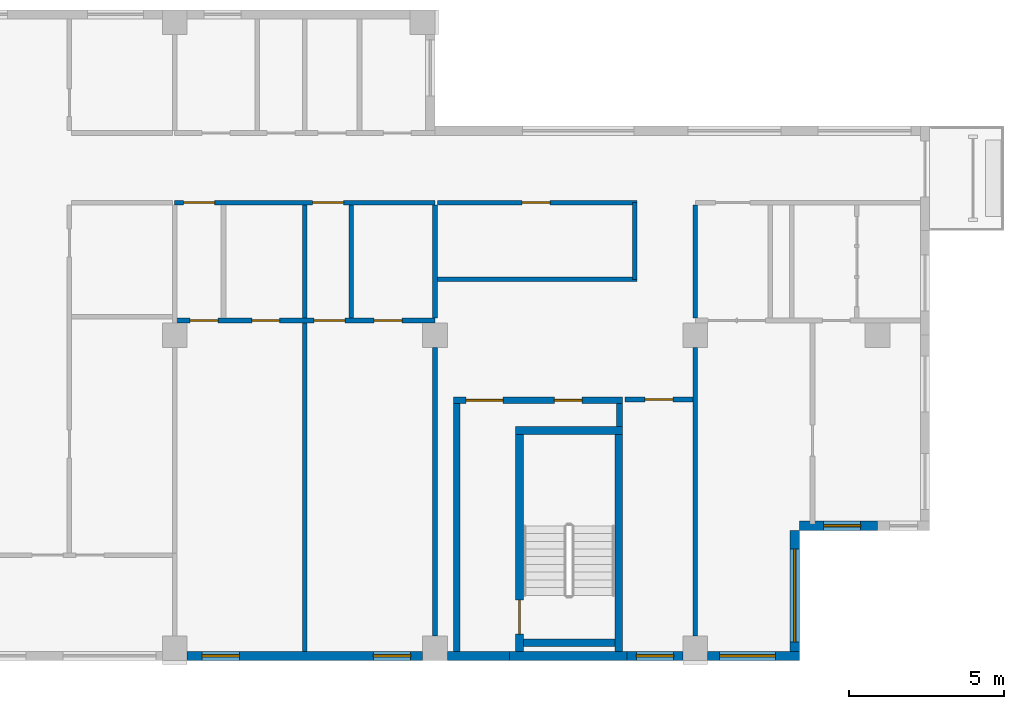
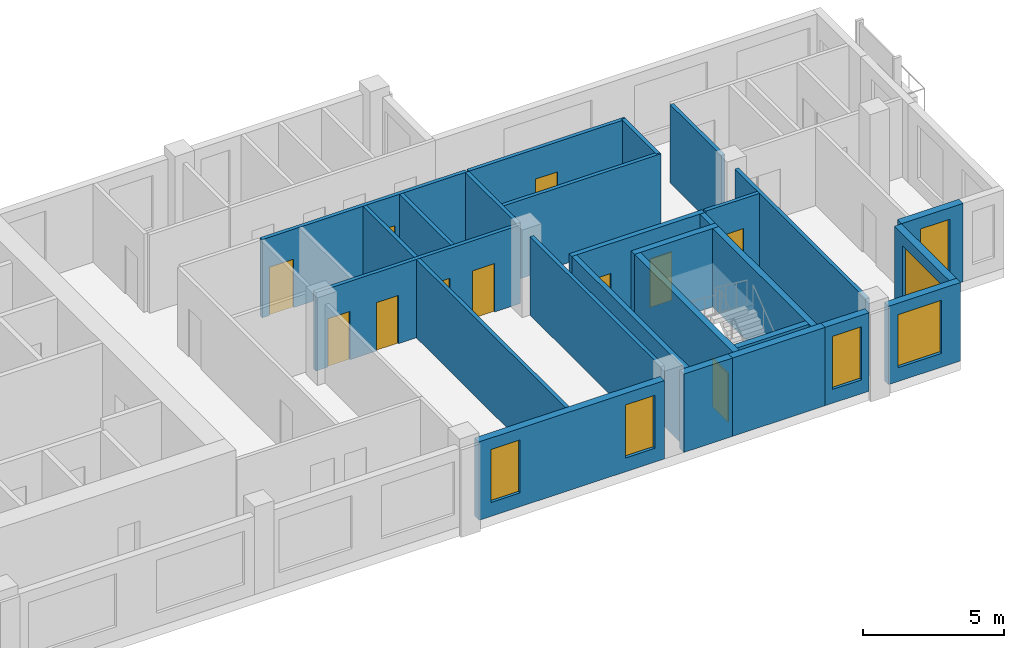
# One storey, part 4 of 11: 27 walls, 11 doors, 6 windows, 17 openings.
"""IFC4 building model written with IfcOpenShell, lengths in metres."""

from ifc_helpers import new_model, si_unit, direction, frame, frame_2d, origin, place, context, subcontext, project, spatial, rectangle, extrude, source, transform, mapped, material, layer, layer_set, type_object, element, fill, save


model = new_model("IFC4")

# Units and contexts
model_context = context("Model", 3, precision=1e-05, world=origin(), true_north=direction((0.0, 1.0)))
body_context = subcontext(model_context, "Body", "Model", "MODEL_VIEW")
ifc_project = project(units=[si_unit("LENGTHUNIT", "METRE"), si_unit("AREAUNIT", "SQUARE_METRE"), si_unit("VOLUMEUNIT", "CUBIC_METRE"), si_unit("PLANEANGLEUNIT", "RADIAN"), si_unit("MASSUNIT", "GRAM", prefix="KILO")], contexts=[model_context])

# Site, building, storey
site_placement = place(None, origin())
site = spatial("IfcSite", under=ifc_project, at=site_placement, CompositionType="ELEMENT")
building_placement = place(site_placement, origin())
building = spatial("IfcBuilding", under=site, at=building_placement, Name="Aurelian Terraces", CompositionType="ELEMENT")
storey_placement = place(building_placement, frame((0.0, 0.0, 265.2)))
storey = spatial("IfcBuildingStorey", under=building, at=storey_placement, Name="L61", CompositionType="ELEMENT", Elevation=265.2)

# Wall, opening, window
ifc_material_1 = material(Name="Terracotta rainscreen cladding", Category="masonry")
ifc_layer_1 = layer(ifc_material_1, 0.3)
ifc_layer_set_1 = layer_set([ifc_layer_1], Name="EW-300")
wall_type_1 = type_object("IfcWallType", Name="EW-300", PredefinedType="STANDARD", material=ifc_layer_set_1)
shared_shape_1 = source(origin(), body_context, "Body", "SweptSolid", [
    extrude(rectangle(XDim=4.2, YDim=0.3, at=frame_2d((2.1, 0.0))), origin(), (0.0, 0.0, 1.0), 3.4),
])
wall_1_placement = place(storey_placement, frame((49.41, 0.0, 0.0), z_axis=(0.0, 0.0, 1.0), x_axis=(0.0, 1.0, 0.0)))
wall_1 = element("IfcWall", 1, at=wall_1_placement, inside=storey, type_object=wall_type_1, Name="External wall L61 F02.7", PredefinedType="STANDARD", context=body_context, shape_type="MappedRepresentation", body=[
    mapped(shared_shape_1, transform((0.0, 0.0, 0.0), scale=1.0)),
])
shared_shape_2 = source(origin(), body_context, "Body", "SweptSolid", [
    extrude(rectangle(XDim=3.0, YDim=2.3, at=frame_2d((1.5, 1.15))), frame((0.0, 0.16, 0.0), z_axis=(0.0, -1.0, 0.0), x_axis=(1.0, 0.0, 0.0)), (0.0, 0.0, 1.0), 0.32),
])
opening_1_placement = place(wall_1_placement, frame((0.6, 0.0, 0.6)))
opening_1 = element("IfcOpeningElement", 2, at=opening_1_placement, cuts=wall_1, Name="Opening W3023", PredefinedType="OPENING", context=body_context, shape_type="MappedRepresentation", body=[
    mapped(shared_shape_2, transform((0.0, 0.0, 0.0), scale=1.0)),
])
ifc_material_2 = material(Name="Clear glazing", Category="glass")
window_type_1 = type_object("IfcWindowType", Name="W-3000x2300", PartitioningType="SINGLE_PANEL", PredefinedType="WINDOW", material=ifc_material_2)
shared_shape_3 = source(origin(), body_context, "Body", "SweptSolid", [
    extrude(rectangle(XDim=3.0, YDim=2.3, at=frame_2d((1.5, 1.15))), frame((0.0, 0.03, 0.0), z_axis=(0.0, -1.0, 0.0), x_axis=(1.0, 0.0, 0.0)), (0.0, 0.0, 1.0), 0.06),
])
window_1_placement = place(opening_1_placement, origin())
window_1 = element("IfcWindow", 3, at=window_1_placement, inside=storey, type_object=window_type_1, Name="Window L61 L61-F02-07-0", OverallHeight=2.3, OverallWidth=3.0, PartitioningType="SINGLE_PANEL", PredefinedType="WINDOW", context=body_context, shape_type="MappedRepresentation", body=[
    mapped(shared_shape_3, transform((0.0, 0.0, 0.0), scale=1.0)),
])
fill(opening_1, window_1)

shared_shape_4 = source(origin(), body_context, "Body", "SweptSolid", [
    extrude(rectangle(XDim=2.52, YDim=0.3, at=frame_2d((1.26, 0.0))), origin(), (0.0, 0.0, 1.0), 3.4),
])
wall_2_placement = place(storey_placement, frame((49.56, 4.35, 0.0), z_axis=(0.0, 0.0, 1.0), x_axis=(1.0, 0.0, 0.0)))
wall_2 = element("IfcWall", 4, at=wall_2_placement, inside=storey, type_object=wall_type_1, Name="External wall L61 F03.8", PredefinedType="STANDARD", context=body_context, shape_type="MappedRepresentation", body=[
    mapped(shared_shape_4, transform((0.0, 0.0, 0.0), scale=1.0)),
])
shared_shape_5 = source(origin(), body_context, "Body", "SweptSolid", [
    extrude(rectangle(XDim=1.2, YDim=2.3, at=frame_2d((0.6, 1.15))), frame((0.0, 0.16, 0.0), z_axis=(0.0, -1.0, 0.0), x_axis=(1.0, 0.0, 0.0)), (0.0, 0.0, 1.0), 0.32),
])
opening_2_placement = place(wall_2_placement, frame((0.7775, 0.0, 0.6)))
opening_2 = element("IfcOpeningElement", 5, at=opening_2_placement, cuts=wall_2, Name="Opening W1223", PredefinedType="OPENING", context=body_context, shape_type="MappedRepresentation", body=[
    mapped(shared_shape_5, transform((0.0, 0.0, 0.0), scale=1.0)),
])
window_type_2 = type_object("IfcWindowType", Name="W-1200x2300", PartitioningType="SINGLE_PANEL", PredefinedType="WINDOW", material=ifc_material_2)
shared_shape_6 = source(origin(), body_context, "Body", "SweptSolid", [
    extrude(rectangle(XDim=1.2, YDim=2.3, at=frame_2d((0.6, 1.15))), frame((0.0, 0.03, 0.0), z_axis=(0.0, -1.0, 0.0), x_axis=(1.0, 0.0, 0.0)), (0.0, 0.0, 1.0), 0.06),
])
window_2_placement = place(opening_2_placement, origin())
window_2 = element("IfcWindow", 6, at=window_2_placement, inside=storey, type_object=window_type_2, Name="Window L61 L61-F03-08-P0", OverallHeight=2.3, OverallWidth=1.2, PartitioningType="SINGLE_PANEL", PredefinedType="WINDOW", context=body_context, shape_type="MappedRepresentation", body=[
    mapped(shared_shape_6, transform((0.0, 0.0, 0.0), scale=1.0)),
])
fill(opening_2, window_2)

# Wall
ifc_material_3 = material(Name="Concrete fc' 40 MPa", Category="concrete")
ifc_layer_2 = layer(ifc_material_3, 0.3)
ifc_layer_set_2 = layer_set([ifc_layer_2], Name="STAIR BAY WALL 300")
wall_type_2 = type_object("IfcWallType", Name="STAIR BAY WALL 300", PredefinedType="SOLIDWALL", material=ifc_layer_set_2)
shared_shape_7 = source(origin(), body_context, "Body", "SweptSolid", [
    extrude(rectangle(XDim=3.8, YDim=0.3, at=frame_2d((1.9, 0.0))), origin(), (0.0, 0.0, 1.0), 3.4),
])
wall_3_placement = place(storey_placement, frame((40.2, 0.15, 0.0), z_axis=(0.0, 0.0, 1.0), x_axis=(1.0, 0.0, 0.0)))
element("IfcWall", 7, at=wall_3_placement, inside=storey, type_object=wall_type_2, Name="Stair bay wall L61 F01.5", PredefinedType="SOLIDWALL", context=body_context, shape_type="MappedRepresentation", body=[
    mapped(shared_shape_7, transform((0.0, 0.0, 0.0), scale=1.0)),
])

# Wall, openings, windows
shared_shape_8 = source(origin(), body_context, "Body", "SweptSolid", [
    extrude(rectangle(XDim=7.6, YDim=0.3, at=frame_2d((3.8, 0.0))), origin(), (0.0, 0.0, 1.0), 3.4),
])
wall_4_placement = place(storey_placement, frame((29.8, 0.15, 0.0), z_axis=(0.0, 0.0, 1.0), x_axis=(1.0, 0.0, 0.0)))
wall_4 = element("IfcWall", 8, at=wall_4_placement, inside=storey, type_object=wall_type_1, Name="External wall L61 F01.4", PredefinedType="STANDARD", context=body_context, shape_type="MappedRepresentation", body=[
    mapped(shared_shape_8, transform((0.0, 0.0, 0.0), scale=1.0)),
])
opening_3_placement = place(wall_4_placement, frame((0.4875, 0.0, 0.6)))
opening_3 = element("IfcOpeningElement", 9, at=opening_3_placement, cuts=wall_4, Name="Opening W1223", PredefinedType="OPENING", context=body_context, shape_type="MappedRepresentation", body=[
    mapped(shared_shape_5, transform((0.0, 0.0, 0.0), scale=1.0)),
])
opening_4_placement = place(wall_4_placement, frame((6.0125, 0.0, 0.6)))
opening_4 = element("IfcOpeningElement", 10, at=opening_4_placement, cuts=wall_4, Name="Opening W1223", PredefinedType="OPENING", context=body_context, shape_type="MappedRepresentation", body=[
    mapped(shared_shape_5, transform((0.0, 0.0, 0.0), scale=1.0)),
])
window_3_placement = place(opening_3_placement, origin())
window_3 = element("IfcWindow", 11, at=window_3_placement, inside=storey, type_object=window_type_2, Name="Window L61 L61-F01-04-0", OverallHeight=2.3, OverallWidth=1.2, PartitioningType="SINGLE_PANEL", PredefinedType="WINDOW", context=body_context, shape_type="MappedRepresentation", body=[
    mapped(shared_shape_6, transform((0.0, 0.0, 0.0), scale=1.0)),
])
fill(opening_3, window_3)
window_4_placement = place(opening_4_placement, origin())
window_4 = element("IfcWindow", 12, at=window_4_placement, inside=storey, type_object=window_type_2, Name="Window L61 L61-F01-04-1", OverallHeight=2.3, OverallWidth=1.2, PartitioningType="SINGLE_PANEL", PredefinedType="WINDOW", context=body_context, shape_type="MappedRepresentation", body=[
    mapped(shared_shape_6, transform((0.0, 0.0, 0.0), scale=1.0)),
])
fill(opening_4, window_4)

# Wall, opening, window
shared_shape_9 = source(origin(), body_context, "Body", "SweptSolid", [
    extrude(rectangle(XDim=2.96, YDim=0.3, at=frame_2d((1.48, 0.0))), origin(), (0.0, 0.0, 1.0), 3.4),
])
wall_5_placement = place(storey_placement, frame((46.6, 0.15, 0.0), z_axis=(0.0, 0.0, 1.0), x_axis=(1.0, 0.0, 0.0)))
wall_5 = element("IfcWall", 13, at=wall_5_placement, inside=storey, type_object=wall_type_1, Name="External wall L61 F01.6", PredefinedType="STANDARD", context=body_context, shape_type="MappedRepresentation", body=[
    mapped(shared_shape_9, transform((0.0, 0.0, 0.0), scale=1.0)),
])
shared_shape_10 = source(origin(), body_context, "Body", "SweptSolid", [
    extrude(rectangle(XDim=1.8, YDim=2.3, at=frame_2d((0.9, 1.15))), frame((0.0, 0.16, 0.0), z_axis=(0.0, -1.0, 0.0), x_axis=(1.0, 0.0, 0.0)), (0.0, 0.0, 1.0), 0.32),
])
opening_5_placement = place(wall_5_placement, frame((0.38, 0.0, 0.6)))
opening_5 = element("IfcOpeningElement", 14, at=opening_5_placement, cuts=wall_5, Name="Opening W1823", PredefinedType="OPENING", context=body_context, shape_type="MappedRepresentation", body=[
    mapped(shared_shape_10, transform((0.0, 0.0, 0.0), scale=1.0)),
])
window_type_3 = type_object("IfcWindowType", Name="W-1800x2300", PartitioningType="SINGLE_PANEL", PredefinedType="WINDOW", material=ifc_material_2)
shared_shape_11 = source(origin(), body_context, "Body", "SweptSolid", [
    extrude(rectangle(XDim=1.8, YDim=2.3, at=frame_2d((0.9, 1.15))), frame((0.0, 0.03, 0.0), z_axis=(0.0, -1.0, 0.0), x_axis=(1.0, 0.0, 0.0)), (0.0, 0.0, 1.0), 0.06),
])
window_5_placement = place(opening_5_placement, origin())
window_5 = element("IfcWindow", 15, at=window_5_placement, inside=storey, type_object=window_type_3, Name="Window L61 L61-F01-06-0", OverallHeight=2.3, OverallWidth=1.8, PartitioningType="SINGLE_PANEL", PredefinedType="WINDOW", context=body_context, shape_type="MappedRepresentation", body=[
    mapped(shared_shape_11, transform((0.0, 0.0, 0.0), scale=1.0)),
])
fill(opening_5, window_5)

# Wall
shared_shape_12 = source(origin(), body_context, "Body", "SweptSolid", [
    extrude(rectangle(XDim=2.0, YDim=0.3, at=frame_2d((1.0, 0.0))), origin(), (0.0, 0.0, 1.0), 3.4),
])
wall_6_placement = place(storey_placement, frame((38.2, 0.15, 0.0), z_axis=(0.0, 0.0, 1.0), x_axis=(1.0, 0.0, 0.0)))
element("IfcWall", 16, at=wall_6_placement, inside=storey, type_object=wall_type_1, Name="External wall L61 F01.5", PredefinedType="STANDARD", context=body_context, shape_type="MappedRepresentation", body=[
    mapped(shared_shape_12, transform((0.0, 0.0, 0.0), scale=1.0)),
])

# Wall, opening, window
shared_shape_13 = source(origin(), body_context, "Body", "SweptSolid", [
    extrude(rectangle(XDim=1.8, YDim=0.3, at=frame_2d((0.9, 0.0))), origin(), (0.0, 0.0, 1.0), 3.4),
])
wall_7_placement = place(storey_placement, frame((44.0, 0.15, 0.0), z_axis=(0.0, 0.0, 1.0), x_axis=(1.0, 0.0, 0.0)))
wall_7 = element("IfcWall", 17, at=wall_7_placement, inside=storey, type_object=wall_type_1, Name="External wall L61 F01.5", PredefinedType="STANDARD", context=body_context, shape_type="MappedRepresentation", body=[
    mapped(shared_shape_13, transform((0.0, 0.0, 0.0), scale=1.0)),
])
opening_6_placement = place(wall_7_placement, frame((0.3, 0.0, 0.6)))
opening_6 = element("IfcOpeningElement", 18, at=opening_6_placement, cuts=wall_7, Name="Opening W1223", PredefinedType="OPENING", context=body_context, shape_type="MappedRepresentation", body=[
    mapped(shared_shape_5, transform((0.0, 0.0, 0.0), scale=1.0)),
])
window_6_placement = place(opening_6_placement, origin())
window_6 = element("IfcWindow", 19, at=window_6_placement, inside=storey, type_object=window_type_2, Name="Window L61 L61-F01-05-P2", OverallHeight=2.3, OverallWidth=1.2, PartitioningType="SINGLE_PANEL", PredefinedType="WINDOW", context=body_context, shape_type="MappedRepresentation", body=[
    mapped(shared_shape_6, transform((0.0, 0.0, 0.0), scale=1.0)),
])
fill(opening_6, window_6)

# Wall, opening, door
ifc_layer_3 = layer(ifc_material_3, 0.25)
ifc_layer_set_3 = layer_set([ifc_layer_3], Name="Stair enclosure wall 250")
wall_type_3 = type_object("IfcWallType", Name="Stair enclosure wall 250", PredefinedType="SOLIDWALL", material=ifc_layer_set_3)
shared_shape_14 = source(origin(), body_context, "Body", "SweptSolid", [
    extrude(rectangle(XDim=7.0, YDim=0.25, at=frame_2d((3.5, 0.0))), origin(), (0.0, 0.0, 1.0), 3.4),
])
wall_8_placement = place(storey_placement, frame((40.525, 0.3, 0.0), z_axis=(0.0, 0.0, 1.0), x_axis=(0.0, 1.0, 0.0)))
wall_8 = element("IfcWall", 20, at=wall_8_placement, inside=storey, type_object=wall_type_3, Name="L61 core wall ST-S2-W", PredefinedType="SOLIDWALL", context=body_context, shape_type="MappedRepresentation", body=[
    mapped(shared_shape_14, transform((0.0, 0.0, 0.0), scale=1.0)),
])
shared_shape_15 = source(origin(), body_context, "Body", "SweptSolid", [
    extrude(rectangle(XDim=1.1, YDim=2.1, at=frame_2d((0.55, 1.05))), frame((0.0, 0.135, 0.0), z_axis=(0.0, -1.0, 0.0), x_axis=(1.0, 0.0, 0.0)), (0.0, 0.0, 1.0), 0.27),
])
opening_7_placement = place(wall_8_placement, frame((0.55, 0.0, 0.0)))
opening_7 = element("IfcOpeningElement", 21, at=opening_7_placement, cuts=wall_8, Name="Opening 66417", PredefinedType="OPENING", context=body_context, shape_type="MappedRepresentation", body=[
    mapped(shared_shape_15, transform((0.0, 0.0, 0.0), scale=1.0)),
])
ifc_material_4 = material(Name="Steel door leaf", Category="steel")
door_type_1 = type_object("IfcDoorType", Name="Core fire door 1100x2100 right", OperationType="SINGLE_SWING_RIGHT", PredefinedType="DOOR", material=ifc_material_4)
shared_shape_16 = source(origin(), body_context, "Body", "SweptSolid", [
    extrude(rectangle(XDim=1.1, YDim=2.1, at=frame_2d((0.55, 1.05))), frame((0.0, 0.025, 0.0), z_axis=(0.0, -1.0, 0.0), x_axis=(1.0, 0.0, 0.0)), (0.0, 0.0, 1.0), 0.05),
])
door_1_placement = place(opening_7_placement, origin())
door_1 = element("IfcDoor", 22, at=door_1_placement, inside=storey, type_object=door_type_1, Name="Stair door 66417", OperationType="SINGLE_SWING_RIGHT", OverallHeight=2.1, OverallWidth=1.1, PredefinedType="DOOR", context=body_context, shape_type="MappedRepresentation", body=[
    mapped(shared_shape_16, transform((0.0, 0.0, 0.0), scale=1.0)),
])
fill(opening_7, door_1)

# Walls
wall_9_placement = place(storey_placement, frame((43.725, 0.3, 0.0), z_axis=(0.0, 0.0, 1.0), x_axis=(0.0, 1.0, 0.0)))
element("IfcWall", 23, at=wall_9_placement, inside=storey, type_object=wall_type_3, Name="L61 core wall ST-S2-E", PredefinedType="SOLIDWALL", context=body_context, shape_type="MappedRepresentation", body=[
    mapped(shared_shape_14, transform((0.0, 0.0, 0.0), scale=1.0)),
])
shared_shape_17 = source(origin(), body_context, "Body", "SweptSolid", [
    extrude(rectangle(XDim=3.45, YDim=0.25, at=frame_2d((1.725, 0.0))), origin(), (0.0, 0.0, 1.0), 3.4),
])
wall_10_placement = place(storey_placement, frame((40.4, 7.425, 0.0), z_axis=(0.0, 0.0, 1.0), x_axis=(1.0, 0.0, 0.0)))
element("IfcWall", 24, at=wall_10_placement, inside=storey, type_object=wall_type_3, Name="L61 core wall ST-S2-N", PredefinedType="SOLIDWALL", context=body_context, shape_type="MappedRepresentation", body=[
    mapped(shared_shape_17, transform((0.0, 0.0, 0.0), scale=1.0)),
])
shared_shape_18 = source(origin(), body_context, "Body", "SweptSolid", [
    extrude(rectangle(XDim=2.95, YDim=0.25, at=frame_2d((1.475, 0.0))), origin(), (0.0, 0.0, 1.0), 3.4),
])
wall_11_placement = place(storey_placement, frame((40.65, 0.575, 0.0), z_axis=(0.0, 0.0, 1.0), x_axis=(1.0, 0.0, 0.0)))
element("IfcWall", 25, at=wall_11_placement, inside=storey, type_object=wall_type_3, Name="L61 core wall ST-S2-SS", PredefinedType="SOLIDWALL", context=body_context, shape_type="MappedRepresentation", body=[
    mapped(shared_shape_18, transform((0.0, 0.0, 0.0), scale=1.0)),
])

# Wall, openings, doors
ifc_material_5 = material(Name="Gypsum board on steel studs", Category="steel")
ifc_layer_4 = layer(ifc_material_5, 0.2)
ifc_layer_set_4 = layer_set([ifc_layer_4], Name="Core partition 200")
wall_type_4 = type_object("IfcWallType", Name="Core partition 200", PredefinedType="PARTITIONING", material=ifc_layer_set_4)
shared_shape_19 = source(origin(), body_context, "Body", "SweptSolid", [
    extrude(rectangle(XDim=5.45, YDim=0.2, at=frame_2d((2.725, 0.0))), origin(), (0.0, 0.0, 1.0), 3.4),
])
wall_12_placement = place(storey_placement, frame((38.4, 8.4, 0.0), z_axis=(0.0, 0.0, 1.0), x_axis=(1.0, 0.0, 0.0)))
wall_12 = element("IfcWall", 26, at=wall_12_placement, inside=storey, type_object=wall_type_4, Name="L61 core wall ST-S2-BN", PredefinedType="PARTITIONING", context=body_context, shape_type="MappedRepresentation", body=[
    mapped(shared_shape_19, transform((0.0, 0.0, 0.0), scale=1.0)),
])
shared_shape_20 = source(origin(), body_context, "Body", "SweptSolid", [
    extrude(rectangle(XDim=1.2, YDim=2.1, at=frame_2d((0.6, 1.05))), frame((0.0, 0.11, 0.0), z_axis=(0.0, -1.0, 0.0), x_axis=(1.0, 0.0, 0.0)), (0.0, 0.0, 1.0), 0.22),
])
opening_8_placement = place(wall_12_placement, frame((0.4, 0.0, 0.0)))
opening_8 = element("IfcOpeningElement", 27, at=opening_8_placement, cuts=wall_12, Name="Opening 66418", PredefinedType="OPENING", context=body_context, shape_type="MappedRepresentation", body=[
    mapped(shared_shape_20, transform((0.0, 0.0, 0.0), scale=1.0)),
])
shared_shape_21 = source(origin(), body_context, "Body", "SweptSolid", [
    extrude(rectangle(XDim=0.9, YDim=2.1, at=frame_2d((0.45, 1.05))), frame((0.0, 0.11, 0.0), z_axis=(0.0, -1.0, 0.0), x_axis=(1.0, 0.0, 0.0)), (0.0, 0.0, 1.0), 0.22),
])
opening_9_placement = place(wall_12_placement, frame((3.25, 0.0, 0.0)))
opening_9 = element("IfcOpeningElement", 28, at=opening_9_placement, cuts=wall_12, Name="Opening 66419", PredefinedType="OPENING", context=body_context, shape_type="MappedRepresentation", body=[
    mapped(shared_shape_21, transform((0.0, 0.0, 0.0), scale=1.0)),
])
door_type_2 = type_object("IfcDoorType", Name="Core riser door 900x2100 right", OperationType="SINGLE_SWING_RIGHT", PredefinedType="DOOR", material=ifc_material_4)
shared_shape_22 = source(origin(), body_context, "Body", "SweptSolid", [
    extrude(rectangle(XDim=0.9, YDim=2.1, at=frame_2d((0.45, 1.05))), frame((0.0, 0.025, 0.0), z_axis=(0.0, -1.0, 0.0), x_axis=(1.0, 0.0, 0.0)), (0.0, 0.0, 1.0), 0.05),
])
door_2_placement = place(opening_9_placement, origin())
door_2 = element("IfcDoor", 29, at=door_2_placement, inside=storey, type_object=door_type_2, Name="Riser door 66419", OperationType="SINGLE_SWING_RIGHT", OverallHeight=2.1, OverallWidth=0.9, PredefinedType="DOOR", context=body_context, shape_type="MappedRepresentation", body=[
    mapped(shared_shape_22, transform((0.0, 0.0, 0.0), scale=1.0)),
])
fill(opening_9, door_2)
door_type_3 = type_object("IfcDoorType", Name="Core fire door 1200x2100", OperationType="SINGLE_SWING_LEFT", PredefinedType="DOOR", material=ifc_material_4)
shared_shape_23 = source(origin(), body_context, "Body", "SweptSolid", [
    extrude(rectangle(XDim=1.2, YDim=2.1, at=frame_2d((0.6, 1.05))), frame((0.0, 0.025, 0.0), z_axis=(0.0, -1.0, 0.0), x_axis=(1.0, 0.0, 0.0)), (0.0, 0.0, 1.0), 0.05),
])
door_3_placement = place(opening_8_placement, origin())
door_3 = element("IfcDoor", 30, at=door_3_placement, inside=storey, type_object=door_type_3, Name="Vestibule door 66418", OperationType="SINGLE_SWING_LEFT", OverallHeight=2.1, OverallWidth=1.2, PredefinedType="DOOR", context=body_context, shape_type="MappedRepresentation", body=[
    mapped(shared_shape_23, transform((0.0, 0.0, 0.0), scale=1.0)),
])
fill(opening_8, door_3)

# Walls
shared_shape_24 = source(origin(), body_context, "Body", "SweptSolid", [
    extrude(rectangle(XDim=0.75, YDim=0.2, at=frame_2d((0.375, 0.0))), origin(), (0.0, 0.0, 1.0), 3.4),
])
wall_13_placement = place(storey_placement, frame((43.75, 7.55, 0.0), z_axis=(0.0, 0.0, 1.0), x_axis=(0.0, 1.0, 0.0)))
element("IfcWall", 31, at=wall_13_placement, inside=storey, type_object=wall_type_4, Name="L61 core wall ST-S2-RE", PredefinedType="PARTITIONING", context=body_context, shape_type="MappedRepresentation", body=[
    mapped(shared_shape_24, transform((0.0, 0.0, 0.0), scale=1.0)),
])
shared_shape_25 = source(origin(), body_context, "Body", "SweptSolid", [
    extrude(rectangle(XDim=8.0, YDim=0.2, at=frame_2d((4.0, 0.0))), origin(), (0.0, 0.0, 1.0), 3.4),
])
wall_14_placement = place(storey_placement, frame((38.5, 0.3, 0.0), z_axis=(0.0, 0.0, 1.0), x_axis=(0.0, 1.0, 0.0)))
element("IfcWall", 32, at=wall_14_placement, inside=storey, type_object=wall_type_4, Name="L61 core wall ST-S2-VW", PredefinedType="PARTITIONING", context=body_context, shape_type="MappedRepresentation", body=[
    mapped(shared_shape_25, transform((0.0, 0.0, 0.0), scale=1.0)),
])
ifc_layer_5 = layer(ifc_material_5, 0.15)
ifc_layer_set_5 = layer_set([ifc_layer_5], Name="Partition 150")
wall_type_5 = type_object("IfcWallType", Name="Partition 150", PredefinedType="PARTITIONING", material=ifc_layer_set_5)
shared_shape_26 = source(origin(), body_context, "Body", "SweptSolid", [
    extrude(rectangle(XDim=6.45, YDim=0.15, at=frame_2d((3.225, 0.0))), origin(), (0.0, 0.0, 1.0), 3.4),
])
wall_15_placement = place(storey_placement, frame((37.875, 12.3, 0.0), z_axis=(0.0, 0.0, 1.0), x_axis=(1.0, 0.0, 0.0)))
element("IfcWall", 33, at=wall_15_placement, inside=storey, type_object=wall_type_5, Name="Partition", PredefinedType="PARTITIONING", context=body_context, shape_type="MappedRepresentation", body=[
    mapped(shared_shape_26, transform((0.0, 0.0, 0.0), scale=1.0)),
])

# Wall, opening, door
ifc_layer_6 = layer(ifc_material_5, 0.15)
ifc_layer_set_6 = layer_set([ifc_layer_6], Name="Fire partition 150")
wall_type_6 = type_object("IfcWallType", Name="Fire partition 150", PredefinedType="PARTITIONING", material=ifc_layer_set_6)
wall_16_placement = place(storey_placement, frame((44.325, 14.775, 0.0), z_axis=(0.0, 0.0, 1.0), x_axis=(-1.0, 0.0, 0.0)))
wall_16 = element("IfcWall", 34, at=wall_16_placement, inside=storey, type_object=wall_type_6, Name="Corridor wall", PredefinedType="PARTITIONING", context=body_context, shape_type="MappedRepresentation", body=[
    mapped(shared_shape_26, transform((0.0, 0.0, 0.0), scale=1.0)),
])
shared_shape_27 = source(origin(), body_context, "Body", "SweptSolid", [
    extrude(rectangle(XDim=0.9, YDim=2.1, at=frame_2d((0.45, 1.05))), frame((0.0, 0.085, 0.0), z_axis=(0.0, -1.0, 0.0), x_axis=(1.0, 0.0, 0.0)), (0.0, 0.0, 1.0), 0.17),
])
opening_10_placement = place(wall_16_placement, frame((2.8125, 0.0, 0.0)))
opening_10 = element("IfcOpeningElement", 35, at=opening_10_placement, cuts=wall_16, Name="Opening 761005", PredefinedType="OPENING", context=body_context, shape_type="MappedRepresentation", body=[
    mapped(shared_shape_27, transform((0.0, 0.0, 0.0), scale=1.0)),
])
ifc_material_6 = material(Name="Timber door leaf", Category="wood")
door_type_4 = type_object("IfcDoorType", Name="Room door 900x2100 right", OperationType="SINGLE_SWING_RIGHT", PredefinedType="DOOR", material=ifc_material_6)
door_4_placement = place(opening_10_placement, origin())
door_4 = element("IfcDoor", 36, at=door_4_placement, inside=storey, type_object=door_type_4, Name="Door 761005", OperationType="SINGLE_SWING_RIGHT", OverallHeight=2.1, OverallWidth=0.9, PredefinedType="DOOR", context=body_context, shape_type="MappedRepresentation", body=[
    mapped(shared_shape_22, transform((0.0, 0.0, 0.0), scale=1.0)),
])
fill(opening_10, door_4)

# Wall, openings, doors
shared_shape_28 = source(origin(), body_context, "Body", "SweptSolid", [
    extrude(rectangle(XDim=8.4, YDim=0.15, at=frame_2d((4.2, 0.0))), origin(), (0.0, 0.0, 1.0), 3.4),
])
wall_17_placement = place(storey_placement, frame((37.8, 10.975, 0.0), z_axis=(0.0, 0.0, 1.0), x_axis=(-1.0, 0.0, 0.0)))
wall_17 = element("IfcWall", 37, at=wall_17_placement, inside=storey, type_object=wall_type_5, Name="Partition", PredefinedType="PARTITIONING", context=body_context, shape_type="MappedRepresentation", body=[
    mapped(shared_shape_28, transform((0.0, 0.0, 0.0), scale=1.0)),
])
opening_11_placement = place(wall_17_placement, frame((7.0, 0.0, 0.0)))
opening_11 = element("IfcOpeningElement", 38, at=opening_11_placement, cuts=wall_17, Name="Opening 761008", PredefinedType="OPENING", context=body_context, shape_type="MappedRepresentation", body=[
    mapped(shared_shape_27, transform((0.0, 0.0, 0.0), scale=1.0)),
])
opening_12_placement = place(wall_17_placement, frame((5.0125, 0.0, 0.0)))
opening_12 = element("IfcOpeningElement", 39, at=opening_12_placement, cuts=wall_17, Name="Opening 761009", PredefinedType="OPENING", context=body_context, shape_type="MappedRepresentation", body=[
    mapped(shared_shape_27, transform((0.0, 0.0, 0.0), scale=1.0)),
])
shared_shape_29 = source(origin(), body_context, "Body", "SweptSolid", [
    extrude(rectangle(XDim=1.0, YDim=2.1, at=frame_2d((0.5, 1.05))), frame((0.0, 0.085, 0.0), z_axis=(0.0, -1.0, 0.0), x_axis=(1.0, 0.0, 0.0)), (0.0, 0.0, 1.0), 0.17),
])
opening_13_placement = place(wall_17_placement, frame((2.9, 0.0, 0.0)))
opening_13 = element("IfcOpeningElement", 40, at=opening_13_placement, cuts=wall_17, Name="Opening 761011", PredefinedType="OPENING", context=body_context, shape_type="MappedRepresentation", body=[
    mapped(shared_shape_29, transform((0.0, 0.0, 0.0), scale=1.0)),
])
opening_14_placement = place(wall_17_placement, frame((1.0625, 0.0, 0.0)))
opening_14 = element("IfcOpeningElement", 41, at=opening_14_placement, cuts=wall_17, Name="Opening 761012", PredefinedType="OPENING", context=body_context, shape_type="MappedRepresentation", body=[
    mapped(shared_shape_27, transform((0.0, 0.0, 0.0), scale=1.0)),
])
door_type_5 = type_object("IfcDoorType", Name="Room door 1000x2100 left", OperationType="SINGLE_SWING_LEFT", PredefinedType="DOOR", material=ifc_material_6)
shared_shape_30 = source(origin(), body_context, "Body", "SweptSolid", [
    extrude(rectangle(XDim=1.0, YDim=2.1, at=frame_2d((0.5, 1.05))), frame((0.0, 0.025, 0.0), z_axis=(0.0, -1.0, 0.0), x_axis=(1.0, 0.0, 0.0)), (0.0, 0.0, 1.0), 0.05),
])
door_5_placement = place(opening_13_placement, origin())
door_5 = element("IfcDoor", 42, at=door_5_placement, inside=storey, type_object=door_type_5, Name="Door 761011", OperationType="SINGLE_SWING_LEFT", OverallHeight=2.1, OverallWidth=1.0, PredefinedType="DOOR", context=body_context, shape_type="MappedRepresentation", body=[
    mapped(shared_shape_30, transform((0.0, 0.0, 0.0), scale=1.0)),
])
fill(opening_13, door_5)
door_6_placement = place(opening_11_placement, origin())
door_6 = element("IfcDoor", 43, at=door_6_placement, inside=storey, type_object=door_type_4, Name="Door 761008", OperationType="SINGLE_SWING_RIGHT", OverallHeight=2.1, OverallWidth=0.9, PredefinedType="DOOR", context=body_context, shape_type="MappedRepresentation", body=[
    mapped(shared_shape_22, transform((0.0, 0.0, 0.0), scale=1.0)),
])
fill(opening_11, door_6)
door_type_6 = type_object("IfcDoorType", Name="Room door 900x2100 left", OperationType="SINGLE_SWING_LEFT", PredefinedType="DOOR", material=ifc_material_6)
door_7_placement = place(opening_12_placement, origin())
door_7 = element("IfcDoor", 44, at=door_7_placement, inside=storey, type_object=door_type_6, Name="Door 761009", OperationType="SINGLE_SWING_LEFT", OverallHeight=2.1, OverallWidth=0.9, PredefinedType="DOOR", context=body_context, shape_type="MappedRepresentation", body=[
    mapped(shared_shape_22, transform((0.0, 0.0, 0.0), scale=1.0)),
])
fill(opening_12, door_7)
door_8_placement = place(opening_14_placement, origin())
door_8 = element("IfcDoor", 45, at=door_8_placement, inside=storey, type_object=door_type_4, Name="Door 761012", OperationType="SINGLE_SWING_RIGHT", OverallHeight=2.1, OverallWidth=0.9, PredefinedType="DOOR", context=body_context, shape_type="MappedRepresentation", body=[
    mapped(shared_shape_22, transform((0.0, 0.0, 0.0), scale=1.0)),
])
fill(opening_14, door_8)

wall_18_placement = place(storey_placement, frame((37.8, 14.775, 0.0), z_axis=(0.0, 0.0, 1.0), x_axis=(-1.0, 0.0, 0.0)))
wall_18 = element("IfcWall", 46, at=wall_18_placement, inside=storey, type_object=wall_type_6, Name="Corridor wall", PredefinedType="PARTITIONING", context=body_context, shape_type="MappedRepresentation", body=[
    mapped(shared_shape_28, transform((0.0, 0.0, 0.0), scale=1.0)),
])
opening_15_placement = place(wall_18_placement, frame((7.1125, 0.0, 0.0)))
opening_15 = element("IfcOpeningElement", 47, at=opening_15_placement, cuts=wall_18, Name="Opening 761007", PredefinedType="OPENING", context=body_context, shape_type="MappedRepresentation", body=[
    mapped(shared_shape_29, transform((0.0, 0.0, 0.0), scale=1.0)),
])
opening_16_placement = place(wall_18_placement, frame((2.95, 0.0, 0.0)))
opening_16 = element("IfcOpeningElement", 48, at=opening_16_placement, cuts=wall_18, Name="Opening 761010", PredefinedType="OPENING", context=body_context, shape_type="MappedRepresentation", body=[
    mapped(shared_shape_29, transform((0.0, 0.0, 0.0), scale=1.0)),
])
door_type_7 = type_object("IfcDoorType", Name="Entrance fire door 1000x2100 left", OperationType="SINGLE_SWING_LEFT", PredefinedType="DOOR", material=ifc_material_4)
door_9_placement = place(opening_15_placement, origin())
door_9 = element("IfcDoor", 49, at=door_9_placement, inside=storey, type_object=door_type_7, Name="Door 761007", OperationType="SINGLE_SWING_LEFT", OverallHeight=2.1, OverallWidth=1.0, PredefinedType="DOOR", context=body_context, shape_type="MappedRepresentation", body=[
    mapped(shared_shape_30, transform((0.0, 0.0, 0.0), scale=1.0)),
])
fill(opening_15, door_9)
door_type_8 = type_object("IfcDoorType", Name="Entrance fire door 1000x2100 right", OperationType="SINGLE_SWING_RIGHT", PredefinedType="DOOR", material=ifc_material_4)
door_10_placement = place(opening_16_placement, origin())
door_10 = element("IfcDoor", 50, at=door_10_placement, inside=storey, type_object=door_type_8, Name="Door 761010", OperationType="SINGLE_SWING_RIGHT", OverallHeight=2.1, OverallWidth=1.0, PredefinedType="DOOR", context=body_context, shape_type="MappedRepresentation", body=[
    mapped(shared_shape_30, transform((0.0, 0.0, 0.0), scale=1.0)),
])
fill(opening_16, door_10)

# Wall, opening, door
shared_shape_31 = source(origin(), body_context, "Body", "SweptSolid", [
    extrude(rectangle(XDim=2.2, YDim=0.15, at=frame_2d((1.1, 0.0))), origin(), (0.0, 0.0, 1.0), 3.4),
])
wall_19_placement = place(storey_placement, frame((46.125, 8.425, 0.0), z_axis=(0.0, 0.0, 1.0), x_axis=(-1.0, 0.0, 0.0)))
wall_19 = element("IfcWall", 51, at=wall_19_placement, inside=storey, type_object=wall_type_5, Name="Partition", PredefinedType="PARTITIONING", context=body_context, shape_type="MappedRepresentation", body=[
    mapped(shared_shape_31, transform((0.0, 0.0, 0.0), scale=1.0)),
])
opening_17_placement = place(wall_19_placement, frame((0.65, 0.0, 0.0)))
opening_17 = element("IfcOpeningElement", 52, at=opening_17_placement, cuts=wall_19, Name="Opening 761006", PredefinedType="OPENING", context=body_context, shape_type="MappedRepresentation", body=[
    mapped(shared_shape_27, transform((0.0, 0.0, 0.0), scale=1.0)),
])
door_11_placement = place(opening_17_placement, origin())
door_11 = element("IfcDoor", 53, at=door_11_placement, inside=storey, type_object=door_type_4, Name="Door 761006", OperationType="SINGLE_SWING_RIGHT", OverallHeight=2.1, OverallWidth=0.9, PredefinedType="DOOR", context=body_context, shape_type="MappedRepresentation", body=[
    mapped(shared_shape_22, transform((0.0, 0.0, 0.0), scale=1.0)),
])
fill(opening_17, door_11)

# Walls
shared_shape_32 = source(origin(), body_context, "Body", "SweptSolid", [
    extrude(rectangle(XDim=2.475, YDim=0.15, at=frame_2d((1.2375, 0.0))), origin(), (0.0, 0.0, 1.0), 3.4),
])
wall_20_placement = place(storey_placement, frame((44.25, 12.3, 0.0), z_axis=(0.0, 0.0, 1.0), x_axis=(0.0, 1.0, 0.0)))
element("IfcWall", 54, at=wall_20_placement, inside=storey, type_object=wall_type_5, Name="Partition", PredefinedType="PARTITIONING", context=body_context, shape_type="MappedRepresentation", body=[
    mapped(shared_shape_32, transform((0.0, 0.0, 0.0), scale=1.0)),
])
shared_shape_33 = source(origin(), body_context, "Body", "SweptSolid", [
    extrude(rectangle(XDim=9.302, YDim=0.15, at=frame_2d((4.651, 0.0))), origin(), (0.0, 0.0, 1.0), 3.4),
])
for number, where, z_axis, x_axis, name in (
    (55, (37.8, 0.799, 0.0), (0.0, 0.0, 1.0), (0.0, 1.0, 0.0), "Party wall"),
    (56, (46.2, 0.799, 0.0), (0.0, 0.0, 1.0), (0.0, 1.0, 0.0), "Party wall"),
):
    element("IfcWall", number, at=place(storey_placement, frame(where, z_axis=z_axis, x_axis=x_axis)), inside=storey, type_object=wall_type_6, Name=name, PredefinedType="PARTITIONING", context=body_context, shape_type="MappedRepresentation", body=[
        mapped(shared_shape_33, transform((0.0, 0.0, 0.0), scale=1.0)),
    ])
shared_shape_34 = source(origin(), body_context, "Body", "SweptSolid", [
    extrude(rectangle(XDim=3.65, YDim=0.15, at=frame_2d((1.825, 0.0))), origin(), (0.0, 0.0, 1.0), 3.4),
])
for number, where, z_axis, x_axis, name in (
    (57, (33.6, 11.05, 0.0), (0.0, 0.0, 1.0), (0.0, 1.0, 0.0), "Partition"),
    (58, (35.1, 11.05, 0.0), (0.0, 0.0, 1.0), (0.0, 1.0, 0.0), "Partition"),
):
    element("IfcWall", number, at=place(storey_placement, frame(where, z_axis=z_axis, x_axis=x_axis)), inside=storey, type_object=wall_type_5, Name=name, PredefinedType="PARTITIONING", context=body_context, shape_type="MappedRepresentation", body=[
        mapped(shared_shape_34, transform((0.0, 0.0, 0.0), scale=1.0)),
    ])
for number, where, z_axis, x_axis, name in (
    (59, (37.8, 11.05, 0.0), (0.0, 0.0, 1.0), (0.0, 1.0, 0.0), "Party wall"),
    (60, (46.2, 11.05, 0.0), (0.0, 0.0, 1.0), (0.0, 1.0, 0.0), "Party wall"),
):
    element("IfcWall", number, at=place(storey_placement, frame(where, z_axis=z_axis, x_axis=x_axis)), inside=storey, type_object=wall_type_6, Name=name, PredefinedType="PARTITIONING", context=body_context, shape_type="MappedRepresentation", body=[
        mapped(shared_shape_34, transform((0.0, 0.0, 0.0), scale=1.0)),
    ])
shared_shape_35 = source(origin(), body_context, "Body", "SweptSolid", [
    extrude(rectangle(XDim=10.6, YDim=0.15, at=frame_2d((5.3, 0.0))), origin(), (0.0, 0.0, 1.0), 3.4),
])
wall_21_placement = place(storey_placement, frame((33.6, 0.3, 0.0), z_axis=(0.0, 0.0, 1.0), x_axis=(0.0, 1.0, 0.0)))
element("IfcWall", 61, at=wall_21_placement, inside=storey, type_object=wall_type_5, Name="Partition", PredefinedType="PARTITIONING", context=body_context, shape_type="MappedRepresentation", body=[
    mapped(shared_shape_35, transform((0.0, 0.0, 0.0), scale=1.0)),
])

save(model, "model.ifc")
